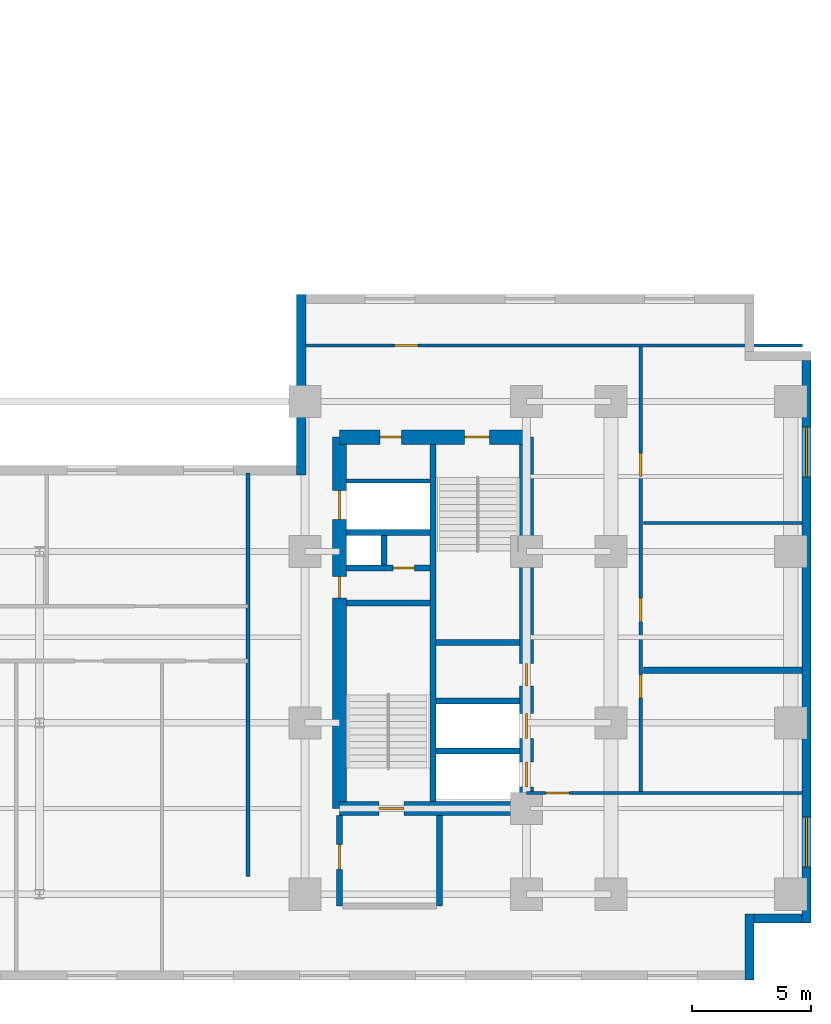
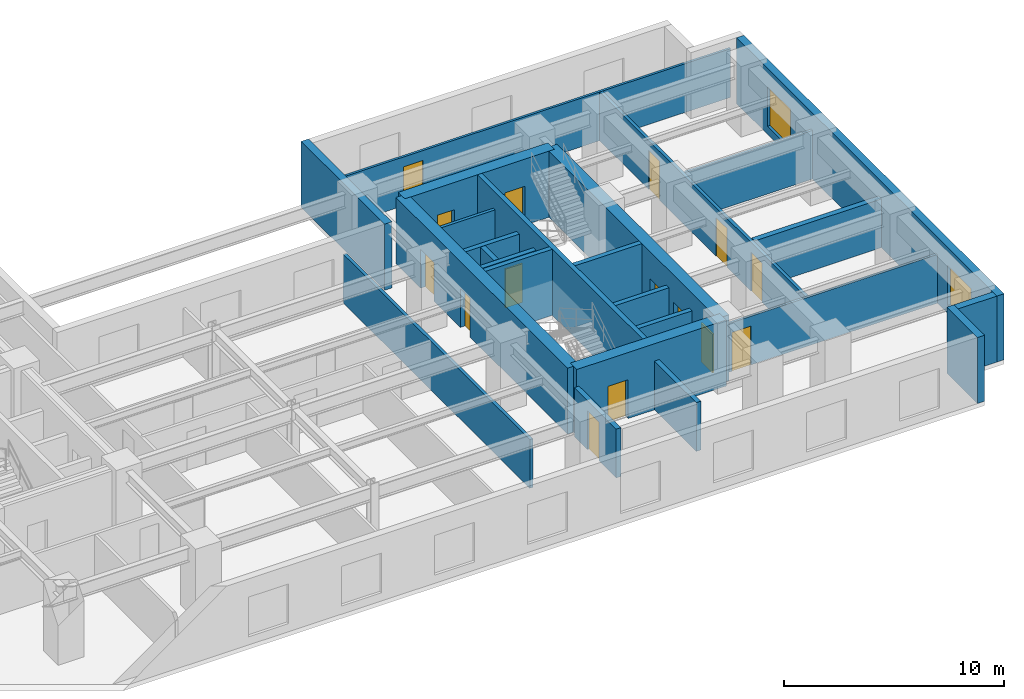
# One storey, part 5 of 9: 25 walls, 15 doors, 2 windows, 17 openings.
"""IFC4 building model written with IfcOpenShell, lengths in metres."""

from ifc_helpers import new_model, entity, si_unit, converted_unit, direction, frame, origin_with_axes, origin_2d_with_axis, place, context, subcontext, project, spatial, polyline, rectangle, outline, extrude, material, layer, layer_set, type_object, element, fill, save


model = new_model("IFC4")

# Units and contexts
model_context = context("Model", 3, precision=1e-05, world=origin_with_axes(), true_north=direction((0.0, 1.0)))
body_context = subcontext(model_context, "Body", "Model", "MODEL_VIEW")
ifc_project = project(units=[si_unit("LENGTHUNIT", "METRE"), si_unit("AREAUNIT", "SQUARE_METRE"), si_unit("VOLUMEUNIT", "CUBIC_METRE"), converted_unit("PLANEANGLEUNIT", "DEGREE", entity("IfcPlaneAngleMeasure", 0.017453292519943295), si_unit("PLANEANGLEUNIT", "RADIAN"), dimensions=[0, 0, 0, 0, 0, 0, 0]), si_unit("MASSUNIT", "GRAM", prefix="KILO"), si_unit("THERMODYNAMICTEMPERATUREUNIT", "KELVIN")], contexts=[model_context])

# Site, building, storey
site_placement = place(None, origin_with_axes())
site = spatial("IfcSite", under=ifc_project, at=site_placement, CompositionType="ELEMENT")
building_placement = place(site_placement, origin_with_axes())
building = spatial("IfcBuilding", under=site, at=building_placement, Name="Varnlund Millrace Tower", CompositionType="ELEMENT")
storey_placement = place(building_placement, frame((0.0, 0.0, 60.0), z_axis=(0.0, 0.0, 1.0), x_axis=(1.0, 0.0, 0.0)))
storey = spatial("IfcBuildingStorey", under=building, at=storey_placement, Name="L14", CompositionType="ELEMENT", Elevation=60.0)

# Wall, openings, doors
ifc_material_1 = material(Name="Concrete C80/95", Category="concrete")
ifc_layer_1 = layer(ifc_material_1, 0.6, Name="Concrete C80/95")
ifc_layer_set_1 = layer_set([ifc_layer_1], Name="Concrete C80/95")
wall_type_1 = type_object("IfcWallType", Name="Type-CoreWall-Shear-600-C80", PredefinedType="SHEAR", material=ifc_layer_set_1)
wall_1_placement = place(storey_placement, frame((40.2, 7.2, 0.0), z_axis=(0.0, 0.0, 1.0), x_axis=(0.0, 1.0, 0.0)))
wall_1 = element("IfcWall", 1, at=wall_1_placement, inside=storey, type_object=wall_type_1, Name="Type-CoreWall-Shear-600-C80", PredefinedType="SHEAR", context=body_context, shape_type="SweptSolid", body=[
    extrude(outline(polyline([(0.0, -0.3), (15.6, -0.3), (15.6, 0.3), (0.0, 0.3), (0.0, -0.3)])), origin_with_axes(), (0.0, 0.0, 1.0), 3.66),
])
opening_1_placement = place(wall_1_placement, frame((12.75, 0.0, 0.0), z_axis=(0.0, 0.0, 1.0), x_axis=(1.0, 0.0, 0.0)))
opening_1 = element("IfcOpeningElement", 2, at=opening_1_placement, cuts=wall_1, Name="Opening L14:LD-SRV2", PredefinedType="OPENING", context=body_context, shape_type="SweptSolid", body=[
    extrude(rectangle(XDim=1.2, YDim=0.62, at=origin_2d_with_axis()), origin_with_axes(), (0.0, 0.0, 1.0), 2.15),
])
opening_2_placement = place(wall_1_placement, frame((9.3, 0.0, 0.0), z_axis=(0.0, 0.0, 1.0), x_axis=(1.0, 0.0, 0.0)))
opening_2 = element("IfcOpeningElement", 3, at=opening_2_placement, cuts=wall_1, Name="Opening L14:DR-CB-JAN", PredefinedType="OPENING", context=body_context, shape_type="SweptSolid", body=[
    extrude(rectangle(XDim=0.9, YDim=0.62, at=origin_2d_with_axis()), origin_with_axes(), (0.0, 0.0, 1.0), 2.15),
])
ifc_material_2 = material(Name="Fire-rated hollow steel service closet door", Category="steel")
door_type_1 = type_object("IfcDoorType", Name="Type-FireDoor-Closet-900X2150", OperationType="NOTDEFINED", PredefinedType="DOOR", material=ifc_material_2)
door_1_placement = place(wall_1_placement, frame((9.3, 0.0, 0.0), z_axis=(0.0, 0.0, 1.0), x_axis=(1.0, 0.0, 0.0)))
door_1 = element("IfcDoor", 4, at=door_1_placement, inside=storey, type_object=door_type_1, Name="Type-FireDoor-Closet-900X2150", OperationType="SINGLE_SWING_RIGHT", OverallHeight=2.15, OverallWidth=0.9, PredefinedType="DOOR", context=body_context, shape_type="SweptSolid", body=[
    extrude(rectangle(XDim=0.9, YDim=0.09, at=origin_2d_with_axis()), origin_with_axes(), (0.0, 0.0, 1.0), 2.15),
])
fill(opening_2, door_1)
ifc_material_3 = material(Name="Heavy-duty freight sliding landing door")
door_type_2 = type_object("IfcDoorType", Name="Type-LiftLandingDoor-Service-1200X2150", OperationType="NOTDEFINED", PredefinedType="DOOR", material=ifc_material_3)
door_2_placement = place(wall_1_placement, frame((12.75, 0.0, 0.0), z_axis=(0.0, 0.0, 1.0), x_axis=(1.0, 0.0, 0.0)))
door_2 = element("IfcDoor", 5, at=door_2_placement, inside=storey, type_object=door_type_2, Name="Type-LiftLandingDoor-Service-1200X2150", OperationType="DOUBLE_DOOR_SLIDING", OverallHeight=2.15, OverallWidth=1.2, PredefinedType="DOOR", context=body_context, shape_type="SweptSolid", body=[
    extrude(rectangle(XDim=1.2, YDim=0.09, at=origin_2d_with_axis()), origin_with_axes(), (0.0, 0.0, 1.0), 2.15),
])
fill(opening_1, door_2)

# Wall, opening, door
wall_2_placement = place(storey_placement, frame((40.2, 7.2, 0.0), z_axis=(0.0, 0.0, 1.0), x_axis=(1.0, 0.0, 0.0)))
wall_2 = element("IfcWall", 6, at=wall_2_placement, inside=storey, type_object=wall_type_1, Name="Type-CoreWall-Shear-600-C80", PredefinedType="SHEAR", context=body_context, shape_type="SweptSolid", body=[
    extrude(outline(polyline([(0.0, -0.3), (7.85, -0.3), (7.85, 0.3), (0.0, 0.3), (0.0, -0.3)])), origin_with_axes(), (0.0, 0.0, 1.0), 3.66),
])
opening_3_placement = place(wall_2_placement, frame((2.175, 0.0, 0.0), z_axis=(0.0, 0.0, 1.0), x_axis=(1.0, 0.0, 0.0)))
opening_3 = element("IfcOpeningElement", 7, at=opening_3_placement, cuts=wall_2, Name="Opening L14:DR-STB1", PredefinedType="OPENING", context=body_context, shape_type="SweptSolid", body=[
    extrude(rectangle(XDim=1.05, YDim=0.62, at=origin_2d_with_axis()), origin_with_axes(), (0.0, 0.0, 1.0), 2.15),
])
ifc_material_4 = material(Name="Fire-rated hollow steel door", Category="steel")
door_type_3 = type_object("IfcDoorType", Name="Type-FireDoor-Stair-1050X2150", OperationType="NOTDEFINED", PredefinedType="DOOR", material=ifc_material_4)
door_3_placement = place(wall_2_placement, frame((2.175, 0.0, 0.0), z_axis=(0.0, 0.0, 1.0), x_axis=(1.0, 0.0, 0.0)))
door_3 = element("IfcDoor", 8, at=door_3_placement, inside=storey, type_object=door_type_3, Name="Type-FireDoor-Stair-1050X2150", OperationType="SINGLE_SWING_LEFT", OverallHeight=2.15, OverallWidth=1.05, PredefinedType="DOOR", context=body_context, shape_type="SweptSolid", body=[
    extrude(rectangle(XDim=1.05, YDim=0.09, at=origin_2d_with_axis()), origin_with_axes(), (0.0, 0.0, 1.0), 2.15),
])
fill(opening_3, door_3)

# Wall, openings, doors
wall_3_placement = place(storey_placement, frame((40.2, 22.8, 0.0), z_axis=(0.0, 0.0, 1.0), x_axis=(1.0, 0.0, 0.0)))
wall_3 = element("IfcWall", 9, at=wall_3_placement, inside=storey, type_object=wall_type_1, Name="Type-CoreWall-Shear-600-C80", PredefinedType="SHEAR", context=body_context, shape_type="SweptSolid", body=[
    extrude(outline(polyline([(0.0, -0.3), (7.85, -0.3), (7.85, 0.3), (0.0, 0.3), (0.0, -0.3)])), origin_with_axes(), (0.0, 0.0, 1.0), 3.66),
])
opening_4_placement = place(wall_3_placement, frame((5.775, 0.0, 0.0), z_axis=(0.0, 0.0, 1.0), x_axis=(1.0, 0.0, 0.0)))
opening_4 = element("IfcOpeningElement", 10, at=opening_4_placement, cuts=wall_3, Name="Opening L14:DR-STB2", PredefinedType="OPENING", context=body_context, shape_type="SweptSolid", body=[
    extrude(rectangle(XDim=1.05, YDim=0.62, at=origin_2d_with_axis()), origin_with_axes(), (0.0, 0.0, 1.0), 2.15),
])
opening_5_placement = place(wall_3_placement, frame((2.15, 0.0, 0.0), z_axis=(0.0, 0.0, 1.0), x_axis=(1.0, 0.0, 0.0)))
opening_5 = element("IfcOpeningElement", 11, at=opening_5_placement, cuts=wall_3, Name="Opening L14:DR-CB-NW", PredefinedType="OPENING", context=body_context, shape_type="SweptSolid", body=[
    extrude(rectangle(XDim=0.9, YDim=0.62, at=origin_2d_with_axis()), origin_with_axes(), (0.0, 0.0, 1.0), 2.15),
])
door_4_placement = place(wall_3_placement, frame((2.15, 0.0, 0.0), z_axis=(0.0, 0.0, 1.0), x_axis=(1.0, 0.0, 0.0)))
door_4 = element("IfcDoor", 12, at=door_4_placement, inside=storey, type_object=door_type_1, Name="Type-FireDoor-Closet-900X2150", OperationType="SINGLE_SWING_LEFT", OverallHeight=2.15, OverallWidth=0.9, PredefinedType="DOOR", context=body_context, shape_type="SweptSolid", body=[
    extrude(rectangle(XDim=0.9, YDim=0.09, at=origin_2d_with_axis()), origin_with_axes(), (0.0, 0.0, 1.0), 2.15),
])
fill(opening_5, door_4)
door_5_placement = place(wall_3_placement, frame((5.775, 0.0, 0.0), z_axis=(0.0, 0.0, 1.0), x_axis=(1.0, 0.0, 0.0)))
door_5 = element("IfcDoor", 13, at=door_5_placement, inside=storey, type_object=door_type_3, Name="Type-FireDoor-Stair-1050X2150", OperationType="SINGLE_SWING_RIGHT", OverallHeight=2.15, OverallWidth=1.05, PredefinedType="DOOR", context=body_context, shape_type="SweptSolid", body=[
    extrude(rectangle(XDim=1.05, YDim=0.09, at=origin_2d_with_axis()), origin_with_axes(), (0.0, 0.0, 1.0), 2.15),
])
fill(opening_4, door_5)

wall_4_placement = place(storey_placement, frame((48.05, 7.2, 0.0), z_axis=(0.0, 0.0, 1.0), x_axis=(0.0, 1.0, 0.0)))
wall_4 = element("IfcWall", 14, at=wall_4_placement, inside=storey, type_object=wall_type_1, Name="Type-CoreWall-Shear-600-C80", PredefinedType="SHEAR", context=body_context, shape_type="SweptSolid", body=[
    extrude(outline(polyline([(0.0, -0.3), (15.6, -0.3), (15.6, 0.3), (0.0, 0.3), (0.0, -0.3)])), origin_with_axes(), (0.0, 0.0, 1.0), 3.66),
])
opening_6_placement = place(wall_4_placement, frame((1.425, 0.0, 0.0), z_axis=(0.0, 0.0, 1.0), x_axis=(1.0, 0.0, 0.0)))
opening_6 = element("IfcOpeningElement", 15, at=opening_6_placement, cuts=wall_4, Name="Opening L14:LD-ELV-L3", PredefinedType="OPENING", context=body_context, shape_type="SweptSolid", body=[
    extrude(rectangle(XDim=1.05, YDim=0.62, at=origin_2d_with_axis()), origin_with_axes(), (0.0, 0.0, 1.0), 2.15),
])
opening_7_placement = place(wall_4_placement, frame((3.475, 0.0, 0.0), z_axis=(0.0, 0.0, 1.0), x_axis=(1.0, 0.0, 0.0)))
opening_7 = element("IfcOpeningElement", 16, at=opening_7_placement, cuts=wall_4, Name="Opening L14:LD-ELV-L4", PredefinedType="OPENING", context=body_context, shape_type="SweptSolid", body=[
    extrude(rectangle(XDim=1.05, YDim=0.62, at=origin_2d_with_axis()), origin_with_axes(), (0.0, 0.0, 1.0), 2.15),
])
opening_8_placement = place(wall_4_placement, frame((5.625, 0.0, 0.0), z_axis=(0.0, 0.0, 1.0), x_axis=(1.0, 0.0, 0.0)))
opening_8 = element("IfcOpeningElement", 17, at=opening_8_placement, cuts=wall_4, Name="Opening L14:DR-CB-WC", PredefinedType="OPENING", context=body_context, shape_type="SweptSolid", body=[
    extrude(rectangle(XDim=0.95, YDim=0.62, at=origin_2d_with_axis()), origin_with_axes(), (0.0, 0.0, 1.0), 2.15),
])
ifc_material_5 = material(Name="Fire-rated hollow steel core service door", Category="steel")
door_type_4 = type_object("IfcDoorType", Name="Type-FireDoor-Service-950X2150", OperationType="NOTDEFINED", PredefinedType="DOOR", material=ifc_material_5)
door_6_placement = place(wall_4_placement, frame((5.625, 0.0, 0.0), z_axis=(0.0, 0.0, 1.0), x_axis=(1.0, 0.0, 0.0)))
door_6 = element("IfcDoor", 18, at=door_6_placement, inside=storey, type_object=door_type_4, Name="Type-FireDoor-Service-950X2150", OperationType="SINGLE_SWING_LEFT", OverallHeight=2.15, OverallWidth=0.95, PredefinedType="DOOR", context=body_context, shape_type="SweptSolid", body=[
    extrude(rectangle(XDim=0.95, YDim=0.09, at=origin_2d_with_axis()), origin_with_axes(), (0.0, 0.0, 1.0), 2.15),
])
fill(opening_8, door_6)
ifc_material_6 = material(Name="Architectural bronze sliding landing door")
door_type_5 = type_object("IfcDoorType", Name="Type-LiftLandingDoor-Compact-1050X2150", OperationType="NOTDEFINED", PredefinedType="DOOR", material=ifc_material_6)
door_7_placement = place(wall_4_placement, frame((1.425, 0.0, 0.0), z_axis=(0.0, 0.0, 1.0), x_axis=(1.0, 0.0, 0.0)))
door_7 = element("IfcDoor", 19, at=door_7_placement, inside=storey, type_object=door_type_5, Name="Type-LiftLandingDoor-Compact-1050X2150", OperationType="SLIDING_TO_LEFT", OverallHeight=2.15, OverallWidth=1.05, PredefinedType="DOOR", context=body_context, shape_type="SweptSolid", body=[
    extrude(rectangle(XDim=1.05, YDim=0.09, at=origin_2d_with_axis()), origin_with_axes(), (0.0, 0.0, 1.0), 2.15),
])
fill(opening_6, door_7)
door_8_placement = place(wall_4_placement, frame((3.475, 0.0, 0.0), z_axis=(0.0, 0.0, 1.0), x_axis=(1.0, 0.0, 0.0)))
door_8 = element("IfcDoor", 20, at=door_8_placement, inside=storey, type_object=door_type_5, Name="Type-LiftLandingDoor-Compact-1050X2150", OperationType="SLIDING_TO_RIGHT", OverallHeight=2.15, OverallWidth=1.05, PredefinedType="DOOR", context=body_context, shape_type="SweptSolid", body=[
    extrude(rectangle(XDim=1.05, YDim=0.09, at=origin_2d_with_axis()), origin_with_axes(), (0.0, 0.0, 1.0), 2.15),
])
fill(opening_7, door_8)

# Wall
ifc_material_7 = material(Name="Precast concrete C50/60", Category="concrete")
ifc_layer_2 = layer(ifc_material_7, 0.38, Name="Precast concrete C50/60")
ifc_layer_set_2 = layer_set([ifc_layer_2], Name="Precast concrete C50/60")
wall_type_2 = type_object("IfcWallType", Name="Type-ExtWall-Precast-Tube-380", PredefinedType="SOLIDWALL", material=ifc_layer_set_2)
wall_5_placement = place(storey_placement, frame((38.59, 21.22, 0.0), z_axis=(0.0, 0.0, 1.0), x_axis=(0.0, 1.0, 0.0)))
element("IfcWall", 21, at=wall_5_placement, inside=storey, type_object=wall_type_2, Name="Type-ExtWall-Precast-Tube-380", PredefinedType="SOLIDWALL", context=body_context, shape_type="SweptSolid", body=[
    extrude(outline(polyline([(0.0, -0.19), (7.58, -0.19), (7.58, 0.19), (0.0, 0.19), (0.0, -0.19)])), origin_with_axes(), (0.0, 0.0, 1.0), 3.66),
])

# Wall, openings, windows
wall_6_placement = place(storey_placement, frame((59.81, 26.02, 0.0), z_axis=(0.0, 0.0, 1.0), x_axis=(0.0, -1.0, 0.0)))
wall_6 = element("IfcWall", 22, at=wall_6_placement, inside=storey, type_object=wall_type_2, Name="Type-ExtWall-Precast-Tube-380", PredefinedType="SOLIDWALL", context=body_context, shape_type="SweptSolid", body=[
    extrude(outline(polyline([(0.0, -0.19), (23.62, -0.19), (23.62, 0.19), (0.0, 0.19), (0.0, -0.19)])), origin_with_axes(), (0.0, 0.0, 1.0), 3.66),
])
opening_9_placement = place(wall_6_placement, frame((3.853, 0.0, 0.45), z_axis=(0.0, 0.0, 1.0), x_axis=(1.0, 0.0, 0.0)))
opening_9 = element("IfcOpeningElement", 23, at=opening_9_placement, cuts=wall_6, Name="Opening L14:WN-04", PredefinedType="OPENING", context=body_context, shape_type="SweptSolid", body=[
    extrude(rectangle(XDim=2.1, YDim=0.4, at=origin_2d_with_axis()), origin_with_axes(), (0.0, 0.0, 1.0), 2.2),
])
opening_10_placement = place(wall_6_placement, frame((20.218, 0.0, 0.45), z_axis=(0.0, 0.0, 1.0), x_axis=(1.0, 0.0, 0.0)))
opening_10 = element("IfcOpeningElement", 24, at=opening_10_placement, cuts=wall_6, Name="Opening L14:WN-05", PredefinedType="OPENING", context=body_context, shape_type="SweptSolid", body=[
    extrude(rectangle(XDim=2.1, YDim=0.4, at=origin_2d_with_axis()), origin_with_axes(), (0.0, 0.0, 1.0), 2.2),
])
ifc_material_8 = material(Name="Argon low-e triple glazing in thermally broken bronze frame", Category="glass")
window_type = type_object("IfcWindowType", Name="Type-Window-Punched-2100X2200", PartitioningType="SINGLE_PANEL", PredefinedType="WINDOW", material=ifc_material_8)
window_1_placement = place(wall_6_placement, frame((3.853, 0.0, 0.45), z_axis=(0.0, 0.0, 1.0), x_axis=(1.0, 0.0, 0.0)))
window_1 = element("IfcWindow", 25, at=window_1_placement, inside=storey, type_object=window_type, Name="Type-Window-Punched-2100X2200", OverallHeight=2.2, OverallWidth=2.1, PredefinedType="WINDOW", context=body_context, shape_type="SweptSolid", body=[
    extrude(rectangle(XDim=2.1, YDim=0.09, at=origin_2d_with_axis()), origin_with_axes(), (0.0, 0.0, 1.0), 2.2),
])
fill(opening_9, window_1)
window_2_placement = place(wall_6_placement, frame((20.218, 0.0, 0.45), z_axis=(0.0, 0.0, 1.0), x_axis=(1.0, 0.0, 0.0)))
window_2 = element("IfcWindow", 26, at=window_2_placement, inside=storey, type_object=window_type, Name="Type-Window-Punched-2100X2200", OverallHeight=2.2, OverallWidth=2.1, PredefinedType="WINDOW", context=body_context, shape_type="SweptSolid", body=[
    extrude(rectangle(XDim=2.1, YDim=0.09, at=origin_2d_with_axis()), origin_with_axes(), (0.0, 0.0, 1.0), 2.2),
])
fill(opening_10, window_2)

# Walls
wall_7_placement = place(storey_placement, frame((59.62, 2.59, 0.0), z_axis=(0.0, 0.0, 1.0), x_axis=(-1.0, 0.0, 0.0)))
element("IfcWall", 27, at=wall_7_placement, inside=storey, type_object=wall_type_2, Name="Type-ExtWall-Precast-Tube-380", PredefinedType="SOLIDWALL", context=body_context, shape_type="SweptSolid", body=[
    extrude(outline(polyline([(0.0, -0.19), (2.02, -0.19), (2.02, 0.19), (0.0, 0.19), (0.0, -0.19)])), origin_with_axes(), (0.0, 0.0, 1.0), 3.66),
])
wall_8_placement = place(storey_placement, frame((57.41, 2.78, 0.0), z_axis=(0.0, 0.0, 1.0), x_axis=(0.0, -1.0, 0.0)))
element("IfcWall", 28, at=wall_8_placement, inside=storey, type_object=wall_type_2, Name="Type-ExtWall-Precast-Tube-380", PredefinedType="SOLIDWALL", context=body_context, shape_type="SweptSolid", body=[
    extrude(outline(polyline([(0.0, -0.19), (2.78, -0.19), (2.78, 0.19), (0.0, 0.19), (0.0, -0.19)])), origin_with_axes(), (0.0, 0.0, 1.0), 3.66),
])
ifc_material_9 = material(Name="Double-stud STC-60 conference acoustic partition", Category="gypsum")
ifc_layer_3 = layer(ifc_material_9, 0.28, Name="Double-stud STC-60 conference acoustic partition")
ifc_layer_set_3 = layer_set([ifc_layer_3], Name="Double-stud STC-60 conference acoustic partition")
wall_type_3 = type_object("IfcWallType", Name="Type-Partition-Acoustic-280", PredefinedType="PARTITIONING", material=ifc_layer_set_3)
wall_9_placement = place(storey_placement, frame((52.97, 13.004, 0.0), z_axis=(0.0, 0.0, 1.0), x_axis=(1.0, 0.0, 0.0)))
element("IfcWall", 29, at=wall_9_placement, inside=storey, type_object=wall_type_3, Name="Type-Partition-Acoustic-280", PredefinedType="PARTITIONING", context=body_context, shape_type="SweptSolid", body=[
    extrude(outline(polyline([(0.0, -0.14), (6.655, -0.14), (6.655, 0.14), (0.0, 0.14), (0.0, -0.14)])), origin_with_axes(), (0.0, 0.0, 1.0), 2.7),
])
ifc_material_10 = material(Name="Fire-rated gypsum board on cold-formed steel framing", Category="steel")
ifc_layer_4 = layer(ifc_material_10, 0.16, Name="Fire-rated gypsum board on cold-formed steel framing")
ifc_layer_set_4 = layer_set([ifc_layer_4], Name="Fire-rated gypsum board on cold-formed steel framing")
wall_type_4 = type_object("IfcWallType", Name="Type-Partition-Corridor-160", PredefinedType="PARTITIONING", material=ifc_layer_set_4)
wall_10_placement = place(storey_placement, frame((40.5, 20.96, 0.0), z_axis=(0.0, 0.0, 1.0), x_axis=(1.0, 0.0, 0.0)))
element("IfcWall", 30, at=wall_10_placement, inside=storey, type_object=wall_type_4, Name="Type-Partition-Corridor-160", PredefinedType="PARTITIONING", context=body_context, shape_type="SweptSolid", body=[
    extrude(outline(polyline([(0.0, -0.08), (3.5, -0.08), (3.5, 0.08), (0.0, 0.08), (0.0, -0.08)])), origin_with_axes(), (0.0, 0.0, 1.0), 2.7),
])
wall_11_placement = place(storey_placement, frame((36.35, 4.35, 0.0), z_axis=(0.0, 0.0, 1.0), x_axis=(0.0, 1.0, 0.0)))
element("IfcWall", 31, at=wall_11_placement, inside=storey, type_object=wall_type_4, Name="Type-Partition-Corridor-160", PredefinedType="PARTITIONING", context=body_context, shape_type="SweptSolid", body=[
    extrude(outline(polyline([(0.0, -0.08), (16.95, -0.08), (16.95, 0.08), (0.0, 0.08), (0.0, -0.08)])), origin_with_axes(), (0.0, 0.0, 1.0), 2.7),
])

# Wall, openings, doors
wall_12_placement = place(storey_placement, frame((52.85, 7.85, 0.0), z_axis=(0.0, 0.0, 1.0), x_axis=(0.0, 1.0, 0.0)))
wall_12 = element("IfcWall", 32, at=wall_12_placement, inside=storey, type_object=wall_type_4, Name="Type-Partition-Corridor-160", PredefinedType="PARTITIONING", context=body_context, shape_type="SweptSolid", body=[
    extrude(outline(polyline([(0.0, -0.08), (18.8, -0.08), (18.8, 0.08), (0.0, 0.08), (0.0, -0.08)])), origin_with_axes(), (0.0, 0.0, 1.0), 2.7),
])
opening_11_placement = place(wall_12_placement, frame((4.484, 0.0, 0.0), z_axis=(0.0, 0.0, 1.0), x_axis=(1.0, 0.0, 0.0)))
opening_11 = element("IfcOpeningElement", 33, at=opening_11_placement, cuts=wall_12, Name="Opening L14:DR-WB-01", PredefinedType="OPENING", context=body_context, shape_type="SweptSolid", body=[
    extrude(rectangle(XDim=1.0, YDim=0.18, at=origin_2d_with_axis()), origin_with_axes(), (0.0, 0.0, 1.0), 2.15),
])
opening_12_placement = place(wall_12_placement, frame((7.687, 0.0, 0.0), z_axis=(0.0, 0.0, 1.0), x_axis=(1.0, 0.0, 0.0)))
opening_12 = element("IfcOpeningElement", 34, at=opening_12_placement, cuts=wall_12, Name="Opening L14:DR-WB-02", PredefinedType="OPENING", context=body_context, shape_type="SweptSolid", body=[
    extrude(rectangle(XDim=1.0, YDim=0.18, at=origin_2d_with_axis()), origin_with_axes(), (0.0, 0.0, 1.0), 2.15),
])
opening_13_placement = place(wall_12_placement, frame((13.79, 0.0, 0.0), z_axis=(0.0, 0.0, 1.0), x_axis=(1.0, 0.0, 0.0)))
opening_13 = element("IfcOpeningElement", 35, at=opening_13_placement, cuts=wall_12, Name="Opening L14:DR-WB-03", PredefinedType="OPENING", context=body_context, shape_type="SweptSolid", body=[
    extrude(rectangle(XDim=1.0, YDim=0.18, at=origin_2d_with_axis()), origin_with_axes(), (0.0, 0.0, 1.0), 2.15),
])
ifc_material_11 = material(Name="Solid-core white oak and bronze frame door")
door_type_6 = type_object("IfcDoorType", Name="Type-IntDoor-Office-1000X2150", OperationType="NOTDEFINED", PredefinedType="DOOR", material=ifc_material_11)
door_9_placement = place(wall_12_placement, frame((4.484, 0.0, 0.0), z_axis=(0.0, 0.0, 1.0), x_axis=(1.0, 0.0, 0.0)))
door_9 = element("IfcDoor", 36, at=door_9_placement, inside=storey, type_object=door_type_6, Name="Type-IntDoor-Office-1000X2150", OperationType="SINGLE_SWING_LEFT", OverallHeight=2.15, OverallWidth=1.0, PredefinedType="DOOR", context=body_context, shape_type="SweptSolid", body=[
    extrude(rectangle(XDim=1.0, YDim=0.09, at=origin_2d_with_axis()), origin_with_axes(), (0.0, 0.0, 1.0), 2.15),
])
fill(opening_11, door_9)
door_10_placement = place(wall_12_placement, frame((7.687, 0.0, 0.0), z_axis=(0.0, 0.0, 1.0), x_axis=(1.0, 0.0, 0.0)))
door_10 = element("IfcDoor", 37, at=door_10_placement, inside=storey, type_object=door_type_6, Name="Type-IntDoor-Office-1000X2150", OperationType="SINGLE_SWING_RIGHT", OverallHeight=2.15, OverallWidth=1.0, PredefinedType="DOOR", context=body_context, shape_type="SweptSolid", body=[
    extrude(rectangle(XDim=1.0, YDim=0.09, at=origin_2d_with_axis()), origin_with_axes(), (0.0, 0.0, 1.0), 2.15),
])
fill(opening_12, door_10)
door_11_placement = place(wall_12_placement, frame((13.79, 0.0, 0.0), z_axis=(0.0, 0.0, 1.0), x_axis=(1.0, 0.0, 0.0)))
door_11 = element("IfcDoor", 38, at=door_11_placement, inside=storey, type_object=door_type_6, Name="Type-IntDoor-Office-1000X2150", OperationType="SINGLE_SWING_LEFT", OverallHeight=2.15, OverallWidth=1.0, PredefinedType="DOOR", context=body_context, shape_type="SweptSolid", body=[
    extrude(rectangle(XDim=1.0, YDim=0.09, at=origin_2d_with_axis()), origin_with_axes(), (0.0, 0.0, 1.0), 2.15),
])
fill(opening_13, door_11)

# Wall, opening, door
ifc_material_12 = material(Name="Gypsum board tenant partition", Category="gypsum")
ifc_layer_5 = layer(ifc_material_12, 0.125, Name="Gypsum board tenant partition")
ifc_layer_set_5 = layer_set([ifc_layer_5], Name="Gypsum board tenant partition")
wall_type_5 = type_object("IfcWallType", Name="Type-Partition-Tenant-125", PredefinedType="PARTITIONING", material=ifc_layer_set_5)
wall_13_placement = place(storey_placement, frame((59.64, 7.85, 0.0), z_axis=(0.0, 0.0, 1.0), x_axis=(-1.0, 0.0, 0.0)))
wall_13 = element("IfcWall", 39, at=wall_13_placement, inside=storey, type_object=wall_type_5, Name="Type-Partition-Tenant-125", PredefinedType="PARTITIONING", context=body_context, shape_type="SweptSolid", body=[
    extrude(outline(polyline([(0.0, -0.0625), (11.59, -0.0625), (11.59, 0.0625), (0.0, 0.0625), (0.0, -0.0625)])), origin_with_axes(), (0.0, 0.0, 1.0), 2.7),
])
opening_14_placement = place(wall_13_placement, frame((10.29, 0.0, 0.0), z_axis=(0.0, 0.0, 1.0), x_axis=(1.0, 0.0, 0.0)))
opening_14 = element("IfcOpeningElement", 40, at=opening_14_placement, cuts=wall_13, Name="Opening L14:DR-WBS-01", PredefinedType="OPENING", context=body_context, shape_type="SweptSolid", body=[
    extrude(rectangle(XDim=1.0, YDim=0.145, at=origin_2d_with_axis()), origin_with_axes(), (0.0, 0.0, 1.0), 2.15),
])
door_12_placement = place(wall_13_placement, frame((10.29, 0.0, 0.0), z_axis=(0.0, 0.0, 1.0), x_axis=(1.0, 0.0, 0.0)))
door_12 = element("IfcDoor", 41, at=door_12_placement, inside=storey, type_object=door_type_6, Name="Type-IntDoor-Office-1000X2150", OperationType="SINGLE_SWING_LEFT", OverallHeight=2.15, OverallWidth=1.0, PredefinedType="DOOR", context=body_context, shape_type="SweptSolid", body=[
    extrude(rectangle(XDim=1.0, YDim=0.075, at=origin_2d_with_axis()), origin_with_axes(), (0.0, 0.0, 1.0), 2.15),
])
fill(opening_14, door_12)

wall_14_placement = place(storey_placement, frame((38.76, 26.65, 0.0), z_axis=(0.0, 0.0, 1.0), x_axis=(1.0, 0.0, 0.0)))
wall_14 = element("IfcWall", 42, at=wall_14_placement, inside=storey, type_object=wall_type_5, Name="Type-Partition-Tenant-125", PredefinedType="PARTITIONING", context=body_context, shape_type="SweptSolid", body=[
    extrude(outline(polyline([(0.0, -0.0625), (20.88, -0.0625), (20.88, 0.0625), (0.0, 0.0625), (0.0, -0.0625)])), origin_with_axes(), (0.0, 0.0, 1.0), 2.7),
])
opening_15_placement = place(wall_14_placement, frame((4.24, 0.0, 0.0), z_axis=(0.0, 0.0, 1.0), x_axis=(1.0, 0.0, 0.0)))
opening_15 = element("IfcOpeningElement", 43, at=opening_15_placement, cuts=wall_14, Name="Opening L14:DR-WBN-01", PredefinedType="OPENING", context=body_context, shape_type="SweptSolid", body=[
    extrude(rectangle(XDim=1.0, YDim=0.145, at=origin_2d_with_axis()), origin_with_axes(), (0.0, 0.0, 1.0), 2.15),
])
door_13_placement = place(wall_14_placement, frame((4.24, 0.0, 0.0), z_axis=(0.0, 0.0, 1.0), x_axis=(1.0, 0.0, 0.0)))
door_13 = element("IfcDoor", 44, at=door_13_placement, inside=storey, type_object=door_type_6, Name="Type-IntDoor-Office-1000X2150", OperationType="SINGLE_SWING_RIGHT", OverallHeight=2.15, OverallWidth=1.0, PredefinedType="DOOR", context=body_context, shape_type="SweptSolid", body=[
    extrude(rectangle(XDim=1.0, YDim=0.075, at=origin_2d_with_axis()), origin_with_axes(), (0.0, 0.0, 1.0), 2.15),
])
fill(opening_15, door_13)

# Wall
wall_15_placement = place(storey_placement, frame((52.97, 19.189, 0.0), z_axis=(0.0, 0.0, 1.0), x_axis=(1.0, 0.0, 0.0)))
element("IfcWall", 45, at=wall_15_placement, inside=storey, type_object=wall_type_5, Name="Type-Partition-Tenant-125", PredefinedType="PARTITIONING", context=body_context, shape_type="SweptSolid", body=[
    extrude(outline(polyline([(0.0, -0.0625), (6.655, -0.0625), (6.655, 0.0625), (0.0, 0.0625), (0.0, -0.0625)])), origin_with_axes(), (0.0, 0.0, 1.0), 2.7),
])

# Wall, opening, door
ifc_material_13 = material(Name="Concrete C60/75", Category="concrete")
ifc_layer_6 = layer(ifc_material_13, 0.25, Name="Concrete C60/75")
ifc_layer_set_6 = layer_set([ifc_layer_6], Name="Concrete C60/75")
wall_type_6 = type_object("IfcWallType", Name="Type-ShaftWall-Fire-250", PredefinedType="SOLIDWALL", material=ifc_layer_set_6)
wall_16_placement = place(storey_placement, frame((40.5, 17.3, 0.0), z_axis=(0.0, 0.0, 1.0), x_axis=(1.0, 0.0, 0.0)))
wall_16 = element("IfcWall", 46, at=wall_16_placement, inside=storey, type_object=wall_type_6, Name="Type-ShaftWall-Fire-250", PredefinedType="SOLIDWALL", context=body_context, shape_type="SweptSolid", body=[
    extrude(outline(polyline([(0.0, -0.125), (3.5, -0.125), (3.5, 0.125), (0.0, 0.125), (0.0, -0.125)])), origin_with_axes(), (0.0, 0.0, 1.0), 2.7),
])
opening_16_placement = place(wall_16_placement, frame((2.4, 0.0, 0.0), z_axis=(0.0, 0.0, 1.0), x_axis=(1.0, 0.0, 0.0)))
opening_16 = element("IfcOpeningElement", 47, at=opening_16_placement, cuts=wall_16, Name="Opening L14:DR-CB-ELC", PredefinedType="OPENING", context=body_context, shape_type="SweptSolid", body=[
    extrude(rectangle(XDim=0.9, YDim=0.27, at=origin_2d_with_axis()), origin_with_axes(), (0.0, 0.0, 1.0), 2.15),
])
door_14_placement = place(wall_16_placement, frame((2.4, 0.0, 0.0), z_axis=(0.0, 0.0, 1.0), x_axis=(1.0, 0.0, 0.0)))
door_14 = element("IfcDoor", 48, at=door_14_placement, inside=storey, type_object=door_type_1, Name="Type-FireDoor-Closet-900X2150", OperationType="SINGLE_SWING_LEFT", OverallHeight=2.15, OverallWidth=0.9, PredefinedType="DOOR", context=body_context, shape_type="SweptSolid", body=[
    extrude(rectangle(XDim=0.9, YDim=0.09, at=origin_2d_with_axis()), origin_with_axes(), (0.0, 0.0, 1.0), 2.15),
])
fill(opening_16, door_14)

# Walls
wall_17_placement = place(storey_placement, frame((40.5, 18.8, 0.0), z_axis=(0.0, 0.0, 1.0), x_axis=(1.0, 0.0, 0.0)))
element("IfcWall", 49, at=wall_17_placement, inside=storey, type_object=wall_type_6, Name="Type-ShaftWall-Fire-250", PredefinedType="SOLIDWALL", context=body_context, shape_type="SweptSolid", body=[
    extrude(outline(polyline([(0.0, -0.125), (3.5, -0.125), (3.5, 0.125), (0.0, 0.125), (0.0, -0.125)])), origin_with_axes(), (0.0, 0.0, 1.0), 2.7),
])
wall_18_placement = place(storey_placement, frame((42.075, 17.43, 0.0), z_axis=(0.0, 0.0, 1.0), x_axis=(0.0, 1.0, 0.0)))
element("IfcWall", 50, at=wall_18_placement, inside=storey, type_object=wall_type_6, Name="Type-ShaftWall-Fire-250", PredefinedType="SOLIDWALL", context=body_context, shape_type="SweptSolid", body=[
    extrude(outline(polyline([(0.0, -0.125), (1.24, -0.125), (1.24, 0.125), (0.0, 0.125), (0.0, -0.125)])), origin_with_axes(), (0.0, 0.0, 1.0), 2.7),
])

# Wall, opening, door
wall_19_placement = place(storey_placement, frame((40.2, 3.1, 0.0), z_axis=(0.0, 0.0, 1.0), x_axis=(0.0, 1.0, 0.0)))
wall_19 = element("IfcWall", 51, at=wall_19_placement, inside=storey, type_object=wall_type_6, Name="Type-ShaftWall-Fire-250", PredefinedType="SOLIDWALL", context=body_context, shape_type="SweptSolid", body=[
    extrude(outline(polyline([(0.0, -0.125), (3.8, -0.125), (3.8, 0.125), (0.0, 0.125), (0.0, -0.125)])), origin_with_axes(), (0.0, 0.0, 1.0), 2.7),
])
opening_17_placement = place(wall_19_placement, frame((2.075, 0.0, 0.0), z_axis=(0.0, 0.0, 1.0), x_axis=(1.0, 0.0, 0.0)))
opening_17 = element("IfcOpeningElement", 52, at=opening_17_placement, cuts=wall_19, Name="Opening L14:DR-FFLOB-B", PredefinedType="OPENING", context=body_context, shape_type="SweptSolid", body=[
    extrude(rectangle(XDim=1.05, YDim=0.27, at=origin_2d_with_axis()), origin_with_axes(), (0.0, 0.0, 1.0), 2.15),
])
ifc_material_14 = material(Name="Smoke-barrier hollow steel fire door", Category="steel")
door_type_7 = type_object("IfcDoorType", Name="Type-FireDoor-Lobby-1050X2150", OperationType="NOTDEFINED", PredefinedType="DOOR", material=ifc_material_14)
door_15_placement = place(wall_19_placement, frame((2.075, 0.0, 0.0), z_axis=(0.0, 0.0, 1.0), x_axis=(1.0, 0.0, 0.0)))
door_15 = element("IfcDoor", 53, at=door_15_placement, inside=storey, type_object=door_type_7, Name="Type-FireDoor-Lobby-1050X2150", OperationType="SINGLE_SWING_LEFT", OverallHeight=2.15, OverallWidth=1.05, PredefinedType="DOOR", context=body_context, shape_type="SweptSolid", body=[
    extrude(rectangle(XDim=1.05, YDim=0.09, at=origin_2d_with_axis()), origin_with_axes(), (0.0, 0.0, 1.0), 2.15),
])
fill(opening_17, door_15)

# Walls
wall_20_placement = place(storey_placement, frame((44.4, 3.1, 0.0), z_axis=(0.0, 0.0, 1.0), x_axis=(0.0, 1.0, 0.0)))
element("IfcWall", 54, at=wall_20_placement, inside=storey, type_object=wall_type_6, Name="Type-ShaftWall-Fire-250", PredefinedType="SOLIDWALL", context=body_context, shape_type="SweptSolid", body=[
    extrude(outline(polyline([(0.0, -0.125), (3.8, -0.125), (3.8, 0.125), (0.0, 0.125), (0.0, -0.125)])), origin_with_axes(), (0.0, 0.0, 1.0), 2.7),
])
for number, where, z_axis, x_axis, name in (
    (55, (44.25, 9.62, 0.0), (0.0, 0.0, 1.0), (1.0, 0.0, 0.0), "Type-ShaftWall-Fire-250"),
    (56, (44.25, 11.72, 0.0), (0.0, 0.0, 1.0), (1.0, 0.0, 0.0), "Type-ShaftWall-Fire-250"),
):
    element("IfcWall", number, at=place(storey_placement, frame(where, z_axis=z_axis, x_axis=x_axis)), inside=storey, type_object=wall_type_6, Name=name, PredefinedType="SOLIDWALL", context=body_context, shape_type="SweptSolid", body=[
        extrude(outline(polyline([(0.0, -0.125), (3.5, -0.125), (3.5, 0.125), (0.0, 0.125), (0.0, -0.125)])), origin_with_axes(), (0.0, 0.0, 1.0), 2.7),
    ])
wall_type_7 = type_object("IfcWallType", Name="Type-StairWall-Shear-250", PredefinedType="SHEAR", material=ifc_layer_set_6)
wall_21_placement = place(storey_placement, frame((44.125, 7.5, 0.0), z_axis=(0.0, 0.0, 1.0), x_axis=(0.0, 1.0, 0.0)))
element("IfcWall", 57, at=wall_21_placement, inside=storey, type_object=wall_type_7, Name="Type-StairWall-Shear-250", PredefinedType="SHEAR", context=body_context, shape_type="SweptSolid", body=[
    extrude(outline(polyline([(0.0, -0.125), (15.0, -0.125), (15.0, 0.125), (0.0, 0.125), (0.0, -0.125)])), origin_with_axes(), (0.0, 0.0, 1.0), 3.66),
])
for number, where, z_axis, x_axis, name in (
    (58, (40.5, 15.825, 0.0), (0.0, 0.0, 1.0), (1.0, 0.0, 0.0), "Type-StairWall-Shear-250"),
    (59, (44.25, 14.175, 0.0), (0.0, 0.0, 1.0), (1.0, 0.0, 0.0), "Type-StairWall-Shear-250"),
):
    element("IfcWall", number, at=place(storey_placement, frame(where, z_axis=z_axis, x_axis=x_axis)), inside=storey, type_object=wall_type_7, Name=name, PredefinedType="SHEAR", context=body_context, shape_type="SweptSolid", body=[
        extrude(outline(polyline([(0.0, -0.125), (3.5, -0.125), (3.5, 0.125), (0.0, 0.125), (0.0, -0.125)])), origin_with_axes(), (0.0, 0.0, 1.0), 3.66),
    ])

save(model, "model.ifc")
